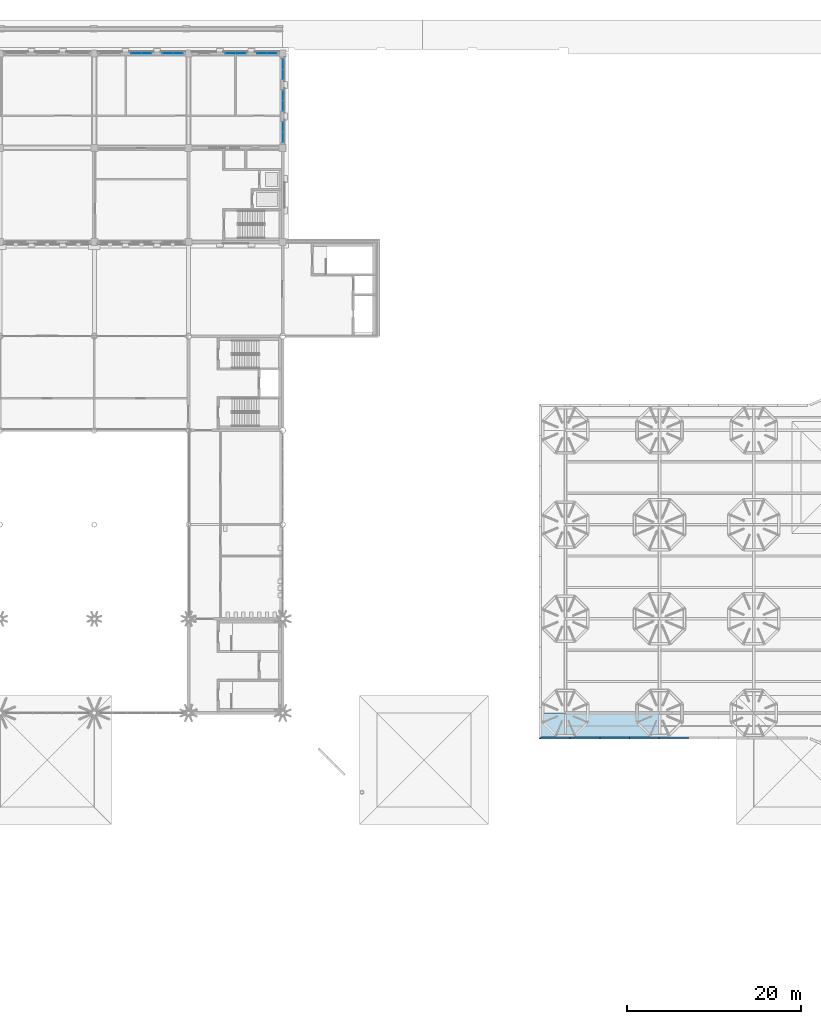
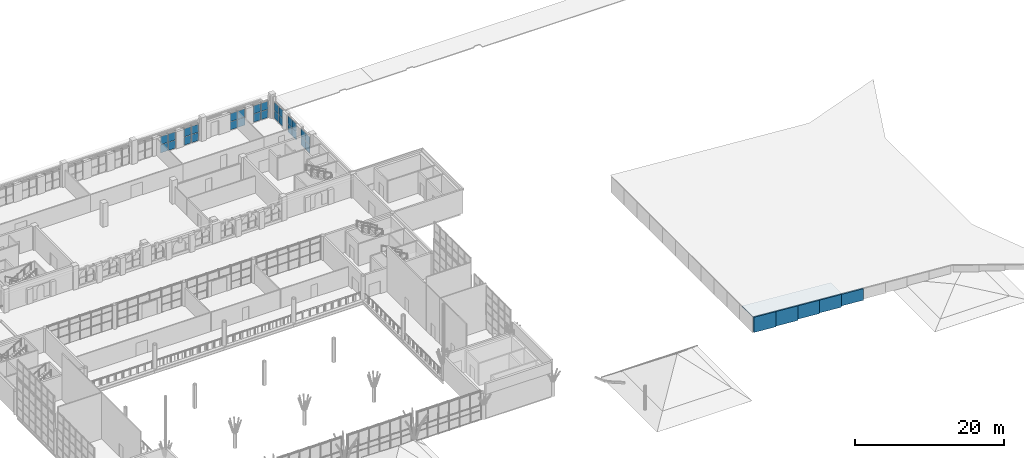
# One storey, part 53 of 95: 33 plates, 1 slab, 7 elements without a shape of their own.
"""IFC4 building model written with IfcOpenShell, lengths in metres."""

from ifc_helpers import new_model, si_unit, direction, frame, origin, origin_2d, place, context, subcontext, project, spatial, polyline, rectangle, outline, extrude, material, layer, layer_set, type_object, element, aggregate, save


model = new_model("IFC4")

# Units and contexts
model_context = context("Model", 3, precision=1e-05, world=origin(), true_north=direction((0.0, 1.0)))
body_context = subcontext(model_context, "Body", "Model", "MODEL_VIEW")
ifc_project = project(units=[si_unit("LENGTHUNIT", "METRE"), si_unit("AREAUNIT", "SQUARE_METRE"), si_unit("VOLUMEUNIT", "CUBIC_METRE"), si_unit("PLANEANGLEUNIT", "RADIAN"), si_unit("MASSUNIT", "GRAM", prefix="KILO")], contexts=[model_context])

# Site, building, storey
site_placement = place(None, origin())
site = spatial("IfcSite", under=ifc_project, at=site_placement, CompositionType="ELEMENT")
building_placement = place(site_placement, origin())
building = spatial("IfcBuilding", under=site, at=building_placement, Name="Magnolia Steps Interchange", CompositionType="ELEMENT")
storey_placement = place(building_placement, frame((0.0, 0.0, 4.800048828125)))
storey = spatial("IfcBuildingStorey", under=building, at=storey_placement, Name="L01", CompositionType="ELEMENT", Elevation=4.800048828125)

# Slab
ifc_material_1 = material(Name="Concrete C30", Category="concrete")
ifc_layer_1 = layer(ifc_material_1, 0.10009765625)
ifc_layer_set_1 = layer_set([ifc_layer_1], Name="Composite roof deck 100")
slab_type = type_object("IfcSlabType", Name="Composite roof deck 100", PredefinedType="ROOF", material=ifc_layer_set_1)
slab_placement = place(storey_placement, frame((161.199951171875, 39.39990234375, 3.3935546875), z_axis=(0.072730357589, 0.0, 0.997351640639), x_axis=(0.0, 1.0, 0.0)))
element("IfcSlab", 1, at=slab_placement, inside=storey, type_object=slab_type, Name="Composite roof deck panel", PredefinedType="ROOF", context=body_context, shape_type="SweptSolid", body=[
    extrude(outline(polyline([(0.0, 0.0), (3.0, 0.0), (3.0, 13.836693365), (0.0, 13.836693365), (0.0, 0.0)])), origin(), (0.0, -0.072730357589, -0.997351640639), 0.100341796875),
])

# Plates
ifc_material_2 = material(Name="White painted steel", Category="steel")
ifc_layer_2 = layer(ifc_material_2, 0.25)
ifc_layer_set_2 = layer_set([ifc_layer_2], Name="Fascia plate 250")
plate_type_1 = type_object("IfcPlateType", Name="Fascia plate 250", PredefinedType="SHEET", material=ifc_layer_set_2)
plate_1_placement = place(storey_placement, frame((147.550048828125, 39.39990234375, 1.78857421875), z_axis=(6.4059277e-05, -0.99999961171, 0.000878905909), x_axis=(0.99735440603, 0.0, -0.072692425831)))
element("IfcPlate", 2, at=plate_1_placement, inside=storey, type_object=plate_type_1, Name="Sloping fascia plate", PredefinedType="SHEET", context=body_context, shape_type="SweptSolid", body=[
    extrude(outline(polyline([(0.0, 0.0), (3.408920964, 0.0), (3.2271899, 2.493386983), (-0.181731065, 2.493386983), (0.0, 0.0)])), origin(), (0.0, 0.0, -1.0), 0.25),
])
plate_2_placement = place(storey_placement, frame((150.949951171875, 39.39990234375, 1.640869140625), z_axis=(6.675581e-05, -0.999999578685, 0.000915517645), x_axis=(0.997349590334, -3.2781e-08, -0.072758467966)))
element("IfcPlate", 3, at=plate_2_placement, inside=storey, type_object=plate_type_1, Name="Sloping fascia plate", PredefinedType="SHEET", context=body_context, shape_type="SweptSolid", body=[
    extrude(outline(polyline([(0.0, 0.0), (3.409182214, 0.0), (3.234551233, 2.393786121), (-0.174613218, 2.393542628), (0.0, 0.0)])), origin(), (0.0, 0.0, -1.0), 0.25),
])
plate_3_placement = place(storey_placement, frame((154.35009765625, 39.39990234375, 1.5927734375), z_axis=(7.282806e-05, -0.999999498624, 0.000998723352), x_axis=(0.997354406027, 3.5763e-08, -0.072692425867)))
element("IfcPlate", 4, at=plate_3_placement, inside=storey, type_object=plate_type_1, Name="Sloping fascia plate", PredefinedType="SHEET", context=body_context, shape_type="SweptSolid", body=[
    extrude(outline(polyline([(0.0, 0.0), (3.408920964, 0.0), (3.249001177, 2.194132095), (-0.159937535, 2.194375589), (0.0, 0.0)])), origin(), (0.0, 0.0, -1.0), 0.25),
])
plate_4_placement = place(storey_placement, frame((157.75, 39.39990234375, 1.445068359375), z_axis=(7.6299486e-05, -0.999999449687, 0.001046328553), x_axis=(0.997349211191, -3.7468e-08, -0.072763664945)))
element("IfcPlate", 5, at=plate_4_placement, inside=storey, type_object=plate_type_1, Name="Sloping fascia plate", PredefinedType="SHEET", context=body_context, shape_type="SweptSolid", body=[
    extrude(outline(polyline([(0.0, 0.0), (3.40893872, 0.0), (3.256127918, 2.094531893), (-0.152793038, 2.0942884), (0.0, 0.0)])), origin(), (0.0, 0.0, -1.0), 0.25),
])
plate_5_placement = place(storey_placement, frame((161.14990234375, 39.39990234375, 1.39697265625), z_axis=(8.4322882e-05, -0.999999327768, 0.001156439955), x_axis=(0.997354784429, 4.1408e-08, -0.072687233924)))
element("IfcPlate", 6, at=plate_5_placement, inside=storey, type_object=plate_type_1, Name="Sloping fascia plate", PredefinedType="SHEET", context=body_context, shape_type="SweptSolid", body=[
    extrude(outline(polyline([(0.0, 0.0), (3.409164459, 0.0), (3.271065813, 1.894877966), (-0.138116392, 1.895121461), (0.0, 0.0)])), origin(), (0.0, 0.0, -1.0), 0.25),
])

# Curtain wall, plates
ifc_material_3 = material(Name="Powder-coated aluminium and glass", Category="aluminium")
ifc_layer_3 = layer(ifc_material_3, 0.179931640625)
ifc_layer_set_3 = layer_set([ifc_layer_3], Name="Lobby shopfront curtain wall")
curtain_wall_type = type_object("IfcCurtainWallType", Name="Lobby shopfront curtain wall", PredefinedType="NOTDEFINED", material=ifc_layer_set_3)
curtain_wall_1_placement = place(storey_placement, origin())
curtain_wall_1 = element("IfcCurtainWall", 7, at=curtain_wall_1_placement, inside=storey, type_object=curtain_wall_type, Name="Operations lobby north glazing 20", PredefinedType="NOTDEFINED")
ifc_material_4 = material(Name="Laminated glass", Category="glass")
ifc_layer_4 = layer(ifc_material_4, 0.028076171875)
ifc_layer_set_4 = layer_set([ifc_layer_4], Name="Glass panel 28")
plate_type_2 = type_object("IfcPlateType", Name="Glass panel 28", PredefinedType="CURTAIN_PANEL", material=ifc_layer_set_4)
plate_6_placement = place(storey_placement, frame((101.215087890625, 118.0, 0.059814453125), z_axis=(0.0, 0.0, 1.0), x_axis=(1.0, 0.0, 0.0)))
plate_6 = element("IfcPlate", 8, at=plate_6_placement, type_object=plate_type_2, Name="CW5 panel 1.1", PredefinedType="CURTAIN_PANEL", context=body_context, shape_type="SweptSolid", body=[
    extrude(rectangle(XDim=1.110107421875, YDim=0.028076171875, at=origin_2d()), origin(), (0.0, 0.0, 1.0), 1.31005859375),
])
plate_7_placement = place(storey_placement, frame((101.215087890625, 118.0, 1.429931640625), z_axis=(0.0, 0.0, 1.0), x_axis=(1.0, 0.0, 0.0)))
plate_7 = element("IfcPlate", 9, at=plate_7_placement, type_object=plate_type_2, Name="CW5 panel 1.2", PredefinedType="CURTAIN_PANEL", context=body_context, shape_type="SweptSolid", body=[
    extrude(rectangle(XDim=1.110107421875, YDim=0.028076171875, at=origin_2d()), origin(), (0.0, 0.0, 1.0), 1.31005859375),
])
plate_8_placement = place(storey_placement, frame((102.385009765625, 118.0, 0.059814453125), z_axis=(0.0, 0.0, 1.0), x_axis=(1.0, 0.0, 0.0)))
plate_8 = element("IfcPlate", 10, at=plate_8_placement, type_object=plate_type_2, Name="CW5 panel 2.1", PredefinedType="CURTAIN_PANEL", context=body_context, shape_type="SweptSolid", body=[
    extrude(rectangle(XDim=1.110107421875, YDim=0.028076171875, at=origin_2d()), origin(), (0.0, 0.0, 1.0), 1.31005859375),
])
plate_9_placement = place(storey_placement, frame((102.385009765625, 118.0, 1.429931640625), z_axis=(0.0, 0.0, 1.0), x_axis=(1.0, 0.0, 0.0)))
plate_9 = element("IfcPlate", 11, at=plate_9_placement, type_object=plate_type_2, Name="CW5 panel 2.2", PredefinedType="CURTAIN_PANEL", context=body_context, shape_type="SweptSolid", body=[
    extrude(rectangle(XDim=1.110107421875, YDim=0.028076171875, at=origin_2d()), origin(), (0.0, 0.0, 1.0), 1.31005859375),
])
aggregate(curtain_wall_1, [plate_6, plate_7, plate_8, plate_9])

curtain_wall_2_placement = place(storey_placement, origin())
curtain_wall_2 = element("IfcCurtainWall", 12, at=curtain_wall_2_placement, inside=storey, type_object=curtain_wall_type, Name="Operations lobby north glazing 22", PredefinedType="NOTDEFINED")
plate_10_placement = place(storey_placement, frame((104.81494140625, 118.0, 0.059814453125), z_axis=(0.0, 0.0, 1.0), x_axis=(1.0, 0.0, 0.0)))
plate_10 = element("IfcPlate", 13, at=plate_10_placement, type_object=plate_type_2, Name="CW5 panel 1.1", PredefinedType="CURTAIN_PANEL", context=body_context, shape_type="SweptSolid", body=[
    extrude(rectangle(XDim=1.110107421875, YDim=0.028076171875, at=origin_2d()), origin(), (0.0, 0.0, 1.0), 1.31005859375),
])
plate_11_placement = place(storey_placement, frame((104.81494140625, 118.0, 1.429931640625), z_axis=(0.0, 0.0, 1.0), x_axis=(1.0, 0.0, 0.0)))
plate_11 = element("IfcPlate", 14, at=plate_11_placement, type_object=plate_type_2, Name="CW5 panel 1.2", PredefinedType="CURTAIN_PANEL", context=body_context, shape_type="SweptSolid", body=[
    extrude(rectangle(XDim=1.110107421875, YDim=0.028076171875, at=origin_2d()), origin(), (0.0, 0.0, 1.0), 1.31005859375),
])
plate_12_placement = place(storey_placement, frame((105.985107421875, 118.0, 0.059814453125), z_axis=(0.0, 0.0, 1.0), x_axis=(1.0, 0.0, 0.0)))
plate_12 = element("IfcPlate", 15, at=plate_12_placement, type_object=plate_type_2, Name="CW5 panel 2.1", PredefinedType="CURTAIN_PANEL", context=body_context, shape_type="SweptSolid", body=[
    extrude(rectangle(XDim=1.110107421875, YDim=0.028076171875, at=origin_2d()), origin(), (0.0, 0.0, 1.0), 1.31005859375),
])
plate_13_placement = place(storey_placement, frame((105.985107421875, 118.0, 1.429931640625), z_axis=(0.0, 0.0, 1.0), x_axis=(1.0, 0.0, 0.0)))
plate_13 = element("IfcPlate", 16, at=plate_13_placement, type_object=plate_type_2, Name="CW5 panel 2.2", PredefinedType="CURTAIN_PANEL", context=body_context, shape_type="SweptSolid", body=[
    extrude(rectangle(XDim=1.110107421875, YDim=0.028076171875, at=origin_2d()), origin(), (0.0, 0.0, 1.0), 1.31005859375),
])
aggregate(curtain_wall_2, [plate_10, plate_11, plate_12, plate_13])

curtain_wall_3_placement = place(storey_placement, origin())
curtain_wall_3 = element("IfcCurtainWall", 17, at=curtain_wall_3_placement, inside=storey, type_object=curtain_wall_type, Name="Operations lobby north glazing 24", PredefinedType="NOTDEFINED")
plate_14_placement = place(storey_placement, frame((112.014892578125, 118.0, 0.059814453125), z_axis=(0.0, 0.0, 1.0), x_axis=(1.0, 0.0, 0.0)))
plate_14 = element("IfcPlate", 18, at=plate_14_placement, type_object=plate_type_2, Name="CW5 panel 1.1", PredefinedType="CURTAIN_PANEL", context=body_context, shape_type="SweptSolid", body=[
    extrude(rectangle(XDim=1.110107421875, YDim=0.028076171875, at=origin_2d()), origin(), (0.0, 0.0, 1.0), 1.31005859375),
])
plate_15_placement = place(storey_placement, frame((112.014892578125, 118.0, 1.429931640625), z_axis=(0.0, 0.0, 1.0), x_axis=(1.0, 0.0, 0.0)))
plate_15 = element("IfcPlate", 19, at=plate_15_placement, type_object=plate_type_2, Name="CW5 panel 1.2", PredefinedType="CURTAIN_PANEL", context=body_context, shape_type="SweptSolid", body=[
    extrude(rectangle(XDim=1.110107421875, YDim=0.028076171875, at=origin_2d()), origin(), (0.0, 0.0, 1.0), 1.31005859375),
])
plate_16_placement = place(storey_placement, frame((113.18505859375, 118.0, 0.059814453125), z_axis=(0.0, 0.0, 1.0), x_axis=(1.0, 0.0, 0.0)))
plate_16 = element("IfcPlate", 20, at=plate_16_placement, type_object=plate_type_2, Name="CW5 panel 2.1", PredefinedType="CURTAIN_PANEL", context=body_context, shape_type="SweptSolid", body=[
    extrude(rectangle(XDim=1.110107421875, YDim=0.028076171875, at=origin_2d()), origin(), (0.0, 0.0, 1.0), 1.31005859375),
])
plate_17_placement = place(storey_placement, frame((113.18505859375, 118.0, 1.429931640625), z_axis=(0.0, 0.0, 1.0), x_axis=(1.0, 0.0, 0.0)))
plate_17 = element("IfcPlate", 21, at=plate_17_placement, type_object=plate_type_2, Name="CW5 panel 2.2", PredefinedType="CURTAIN_PANEL", context=body_context, shape_type="SweptSolid", body=[
    extrude(rectangle(XDim=1.110107421875, YDim=0.028076171875, at=origin_2d()), origin(), (0.0, 0.0, 1.0), 1.31005859375),
])
aggregate(curtain_wall_3, [plate_14, plate_15, plate_16, plate_17])

curtain_wall_4_placement = place(storey_placement, origin())
curtain_wall_4 = element("IfcCurtainWall", 22, at=curtain_wall_4_placement, inside=storey, type_object=curtain_wall_type, Name="Operations lobby north glazing 26", PredefinedType="NOTDEFINED")
plate_18_placement = place(storey_placement, frame((115.614990234375, 118.0, 0.059814453125), z_axis=(0.0, 0.0, 1.0), x_axis=(1.0, 0.0, 0.0)))
plate_18 = element("IfcPlate", 23, at=plate_18_placement, type_object=plate_type_2, Name="CW5 panel 1.1", PredefinedType="CURTAIN_PANEL", context=body_context, shape_type="SweptSolid", body=[
    extrude(rectangle(XDim=1.110107421875, YDim=0.028076171875, at=origin_2d()), origin(), (0.0, 0.0, 1.0), 1.31005859375),
])
plate_19_placement = place(storey_placement, frame((115.614990234375, 118.0, 1.429931640625), z_axis=(0.0, 0.0, 1.0), x_axis=(1.0, 0.0, 0.0)))
plate_19 = element("IfcPlate", 24, at=plate_19_placement, type_object=plate_type_2, Name="CW5 panel 1.2", PredefinedType="CURTAIN_PANEL", context=body_context, shape_type="SweptSolid", body=[
    extrude(rectangle(XDim=1.110107421875, YDim=0.028076171875, at=origin_2d()), origin(), (0.0, 0.0, 1.0), 1.31005859375),
])
plate_20_placement = place(storey_placement, frame((116.784912109375, 118.0, 0.059814453125), z_axis=(0.0, 0.0, 1.0), x_axis=(1.0, 0.0, 0.0)))
plate_20 = element("IfcPlate", 25, at=plate_20_placement, type_object=plate_type_2, Name="CW5 panel 2.1", PredefinedType="CURTAIN_PANEL", context=body_context, shape_type="SweptSolid", body=[
    extrude(rectangle(XDim=1.110107421875, YDim=0.028076171875, at=origin_2d()), origin(), (0.0, 0.0, 1.0), 1.31005859375),
])
plate_21_placement = place(storey_placement, frame((116.784912109375, 118.0, 1.429931640625), z_axis=(0.0, 0.0, 1.0), x_axis=(1.0, 0.0, 0.0)))
plate_21 = element("IfcPlate", 26, at=plate_21_placement, type_object=plate_type_2, Name="CW5 panel 2.2", PredefinedType="CURTAIN_PANEL", context=body_context, shape_type="SweptSolid", body=[
    extrude(rectangle(XDim=1.110107421875, YDim=0.028076171875, at=origin_2d()), origin(), (0.0, 0.0, 1.0), 1.31005859375),
])
aggregate(curtain_wall_4, [plate_18, plate_19, plate_20, plate_21])

curtain_wall_5_placement = place(storey_placement, origin())
curtain_wall_5 = element("IfcCurtainWall", 27, at=curtain_wall_5_placement, inside=storey, type_object=curtain_wall_type, Name="Operations lobby east glazing 2", PredefinedType="NOTDEFINED")
plate_22_placement = place(storey_placement, frame((118.0, 108.4150390625, 0.059814453125), z_axis=(0.0, 0.0, 1.0), x_axis=(0.0, 1.0, 0.0)))
plate_22 = element("IfcPlate", 28, at=plate_22_placement, type_object=plate_type_2, Name="CW5 panel 1.1", PredefinedType="CURTAIN_PANEL", context=body_context, shape_type="SweptSolid", body=[
    extrude(rectangle(XDim=1.110107421875, YDim=0.028076171875, at=origin_2d()), origin(), (0.0, 0.0, 1.0), 1.31005859375),
])
plate_23_placement = place(storey_placement, frame((118.0, 108.4150390625, 1.429931640625), z_axis=(0.0, 0.0, 1.0), x_axis=(0.0, 1.0, 0.0)))
plate_23 = element("IfcPlate", 29, at=plate_23_placement, type_object=plate_type_2, Name="CW5 panel 1.2", PredefinedType="CURTAIN_PANEL", context=body_context, shape_type="SweptSolid", body=[
    extrude(rectangle(XDim=1.110107421875, YDim=0.028076171875, at=origin_2d()), origin(), (0.0, 0.0, 1.0), 1.31005859375),
])
plate_24_placement = place(storey_placement, frame((118.0, 109.5849609375, 0.059814453125), z_axis=(0.0, 0.0, 1.0), x_axis=(0.0, 1.0, 0.0)))
plate_24 = element("IfcPlate", 30, at=plate_24_placement, type_object=plate_type_2, Name="CW5 panel 2.1", PredefinedType="CURTAIN_PANEL", context=body_context, shape_type="SweptSolid", body=[
    extrude(rectangle(XDim=1.110107421875, YDim=0.028076171875, at=origin_2d()), origin(), (0.0, 0.0, 1.0), 1.31005859375),
])
plate_25_placement = place(storey_placement, frame((118.0, 109.5849609375, 1.429931640625), z_axis=(0.0, 0.0, 1.0), x_axis=(0.0, 1.0, 0.0)))
plate_25 = element("IfcPlate", 31, at=plate_25_placement, type_object=plate_type_2, Name="CW5 panel 2.2", PredefinedType="CURTAIN_PANEL", context=body_context, shape_type="SweptSolid", body=[
    extrude(rectangle(XDim=1.110107421875, YDim=0.028076171875, at=origin_2d()), origin(), (0.0, 0.0, 1.0), 1.31005859375),
])
aggregate(curtain_wall_5, [plate_22, plate_23, plate_24, plate_25])

curtain_wall_6_placement = place(storey_placement, origin())
curtain_wall_6 = element("IfcCurtainWall", 32, at=curtain_wall_6_placement, inside=storey, type_object=curtain_wall_type, Name="Operations lobby east glazing 4", PredefinedType="NOTDEFINED")
plate_26_placement = place(storey_placement, frame((118.0, 112.014892578125, 0.059814453125), z_axis=(0.0, 0.0, 1.0), x_axis=(0.0, 1.0, 0.0)))
plate_26 = element("IfcPlate", 33, at=plate_26_placement, type_object=plate_type_2, Name="CW5 panel 1.1", PredefinedType="CURTAIN_PANEL", context=body_context, shape_type="SweptSolid", body=[
    extrude(rectangle(XDim=1.110107421875, YDim=0.028076171875, at=origin_2d()), origin(), (0.0, 0.0, 1.0), 1.31005859375),
])
plate_27_placement = place(storey_placement, frame((118.0, 112.014892578125, 1.429931640625), z_axis=(0.0, 0.0, 1.0), x_axis=(0.0, 1.0, 0.0)))
plate_27 = element("IfcPlate", 34, at=plate_27_placement, type_object=plate_type_2, Name="CW5 panel 1.2", PredefinedType="CURTAIN_PANEL", context=body_context, shape_type="SweptSolid", body=[
    extrude(rectangle(XDim=1.110107421875, YDim=0.028076171875, at=origin_2d()), origin(), (0.0, 0.0, 1.0), 1.31005859375),
])
plate_28_placement = place(storey_placement, frame((118.0, 113.18505859375, 0.059814453125), z_axis=(0.0, 0.0, 1.0), x_axis=(0.0, 1.0, 0.0)))
plate_28 = element("IfcPlate", 35, at=plate_28_placement, type_object=plate_type_2, Name="CW5 panel 2.1", PredefinedType="CURTAIN_PANEL", context=body_context, shape_type="SweptSolid", body=[
    extrude(rectangle(XDim=1.110107421875, YDim=0.028076171875, at=origin_2d()), origin(), (0.0, 0.0, 1.0), 1.31005859375),
])
plate_29_placement = place(storey_placement, frame((118.0, 113.18505859375, 1.429931640625), z_axis=(0.0, 0.0, 1.0), x_axis=(0.0, 1.0, 0.0)))
plate_29 = element("IfcPlate", 36, at=plate_29_placement, type_object=plate_type_2, Name="CW5 panel 2.2", PredefinedType="CURTAIN_PANEL", context=body_context, shape_type="SweptSolid", body=[
    extrude(rectangle(XDim=1.110107421875, YDim=0.028076171875, at=origin_2d()), origin(), (0.0, 0.0, 1.0), 1.31005859375),
])
aggregate(curtain_wall_6, [plate_26, plate_27, plate_28, plate_29])

curtain_wall_7_placement = place(storey_placement, origin())
curtain_wall_7 = element("IfcCurtainWall", 37, at=curtain_wall_7_placement, inside=storey, type_object=curtain_wall_type, Name="Operations lobby east glazing 6", PredefinedType="NOTDEFINED")
plate_30_placement = place(storey_placement, frame((118.0, 115.614990234375, 0.059814453125), z_axis=(0.0, 0.0, 1.0), x_axis=(0.0, 1.0, 0.0)))
plate_30 = element("IfcPlate", 38, at=plate_30_placement, type_object=plate_type_2, Name="CW5 panel 1.1", PredefinedType="CURTAIN_PANEL", context=body_context, shape_type="SweptSolid", body=[
    extrude(rectangle(XDim=1.110107421875, YDim=0.028076171875, at=origin_2d()), origin(), (0.0, 0.0, 1.0), 1.31005859375),
])
plate_31_placement = place(storey_placement, frame((118.0, 115.614990234375, 1.429931640625), z_axis=(0.0, 0.0, 1.0), x_axis=(0.0, 1.0, 0.0)))
plate_31 = element("IfcPlate", 39, at=plate_31_placement, type_object=plate_type_2, Name="CW5 panel 1.2", PredefinedType="CURTAIN_PANEL", context=body_context, shape_type="SweptSolid", body=[
    extrude(rectangle(XDim=1.110107421875, YDim=0.028076171875, at=origin_2d()), origin(), (0.0, 0.0, 1.0), 1.31005859375),
])
plate_32_placement = place(storey_placement, frame((118.0, 116.784912109375, 0.059814453125), z_axis=(0.0, 0.0, 1.0), x_axis=(0.0, 1.0, 0.0)))
plate_32 = element("IfcPlate", 40, at=plate_32_placement, type_object=plate_type_2, Name="CW5 panel 2.1", PredefinedType="CURTAIN_PANEL", context=body_context, shape_type="SweptSolid", body=[
    extrude(rectangle(XDim=1.110107421875, YDim=0.028076171875, at=origin_2d()), origin(), (0.0, 0.0, 1.0), 1.31005859375),
])
plate_33_placement = place(storey_placement, frame((118.0, 116.784912109375, 1.429931640625), z_axis=(0.0, 0.0, 1.0), x_axis=(0.0, 1.0, 0.0)))
plate_33 = element("IfcPlate", 41, at=plate_33_placement, type_object=plate_type_2, Name="CW5 panel 2.2", PredefinedType="CURTAIN_PANEL", context=body_context, shape_type="SweptSolid", body=[
    extrude(rectangle(XDim=1.110107421875, YDim=0.028076171875, at=origin_2d()), origin(), (0.0, 0.0, 1.0), 1.31005859375),
])
aggregate(curtain_wall_7, [plate_30, plate_31, plate_32, plate_33])

save(model, "model.ifc")
